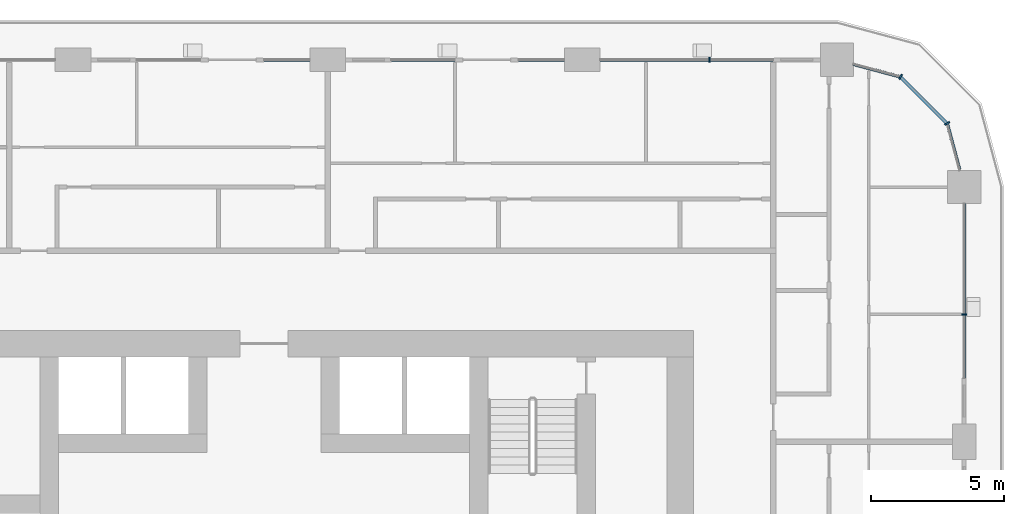
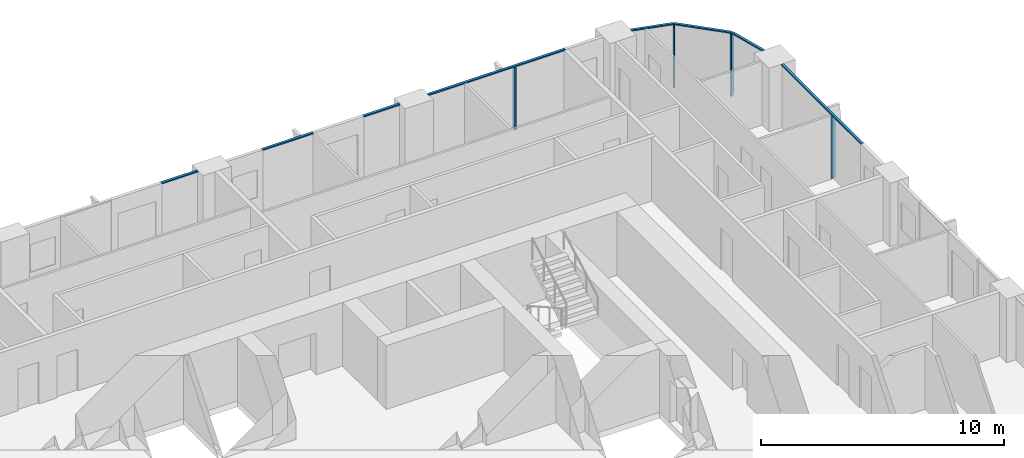
# One storey, part 6 of 21: 12 members, 5 elements without a shape of their own.
"""IFC4 building model written with IfcOpenShell, lengths in metres."""

from ifc_helpers import new_model, si_unit, direction, frame, origin, origin_2d, place, context, subcontext, project, spatial, rectangle, extrude, material, layer, layer_set, material_profile, profile_set, type_object, element, aggregate, save


model = new_model("IFC4")

# Units and contexts
model_context = context("Model", 3, precision=1e-05, world=origin(), true_north=direction((0.0, 1.0)))
body_context = subcontext(model_context, "Body", "Model", "MODEL_VIEW")
ifc_project = project(units=[si_unit("LENGTHUNIT", "METRE"), si_unit("AREAUNIT", "SQUARE_METRE"), si_unit("VOLUMEUNIT", "CUBIC_METRE"), si_unit("PLANEANGLEUNIT", "RADIAN"), si_unit("MASSUNIT", "GRAM", prefix="KILO")], contexts=[model_context])

# Site, building, storey
site_placement = place(None, origin())
site = spatial("IfcSite", under=ifc_project, at=site_placement, CompositionType="ELEMENT")
building_placement = place(site_placement, origin())
building = spatial("IfcBuilding", under=site, at=building_placement, Name="Madar Terraces", CompositionType="ELEMENT")
storey_placement = place(building_placement, frame((0.0, 0.0, 39.89990234375)))
storey = spatial("IfcBuildingStorey", under=building, at=storey_placement, Name="L09", CompositionType="ELEMENT", Elevation=39.89990234375)

# Curtain wall, member
ifc_material_1 = material(Name="Glass, ceramic frit dark grey, with black aluminium frame", Category="aluminium")
ifc_layer = layer(ifc_material_1, 0.199951171875)
ifc_layer_set = layer_set([ifc_layer], Name="Facade curtain wall, fritted glass")
curtain_wall_type = type_object("IfcCurtainWallType", Name="Facade curtain wall, fritted glass", PredefinedType="NOTDEFINED", material=ifc_layer_set)
curtain_wall_1_placement = place(storey_placement, origin())
curtain_wall_1 = element("IfcCurtainWall", 1, at=curtain_wall_1_placement, inside=storey, type_object=curtain_wall_type, Name="Outer skin curtain wall east bay 4", PredefinedType="NOTDEFINED")
ifc_material_2 = material(Name="Aluminium, black anodised", Category="aluminium")
ifc_material_profile_1 = material_profile(ifc_material_2, rectangle(XDim=0.199951171875, YDim=0.06005859375, at=origin_2d()), Name="Facade mullion 60x200")
ifc_profile_set_1 = profile_set([ifc_material_profile_1], Name="Aluminium, black anodised")
member_type_1 = type_object("IfcMemberType", Name="Facade mullion 60x200", PredefinedType="MULLION", material=ifc_profile_set_1)
member_1_placement = place(storey_placement, frame((57.60009765625, 38.39990234375, 0.0), z_axis=(0.0, 0.0, 1.0), x_axis=(-1.0, 0.0, 0.0)))
member_1 = element("IfcMember", 2, at=member_1_placement, type_object=member_type_1, Name="Mullion 1", PredefinedType="MULLION", context=body_context, shape_type="SweptSolid", body=[
    extrude(rectangle(XDim=0.199951171875, YDim=0.06005859375, at=origin_2d()), origin(), (0.0, 0.0, 1.0), 3.14013671875),
])

curtain_wall_2_placement = place(storey_placement, origin())
curtain_wall_2 = element("IfcCurtainWall", 3, at=curtain_wall_2_placement, inside=storey, type_object=curtain_wall_type, Name="Outer skin curtain wall north bay 1", PredefinedType="NOTDEFINED")
member_2_placement = place(storey_placement, frame((48.0, 48.0, 0.0), z_axis=(0.0, 0.0, 1.0), x_axis=(0.0, -1.0, 0.0)))
member_2 = element("IfcMember", 4, at=member_2_placement, type_object=member_type_1, Name="Mullion 1", PredefinedType="MULLION", context=body_context, shape_type="SweptSolid", body=[
    extrude(rectangle(XDim=0.199951171875, YDim=0.06005859375, at=origin_2d()), origin(), (0.0, 0.0, 1.0), 3.14013671875),
])

# Curtain wall, members
curtain_wall_3_placement = place(storey_placement, origin())
curtain_wall_3 = element("IfcCurtainWall", 5, at=curtain_wall_3_placement, inside=storey, type_object=curtain_wall_type, Name="Outer skin curtain wall north-east corner", PredefinedType="NOTDEFINED")
member_3_placement = place(storey_placement, frame((56.95703125, 45.60009765625, 0.0), z_axis=(0.0, 0.0, 1.0), x_axis=(-0.866025409797, -0.499999989586, 0.0)))
member_3 = element("IfcMember", 6, at=member_3_placement, type_object=member_type_1, Name="Mullion 1", PredefinedType="MULLION", context=body_context, shape_type="SweptSolid", body=[
    extrude(rectangle(XDim=0.199951171875, YDim=0.06005859375, at=origin_2d()), origin(), (0.0, 0.0, 1.0), 3.14013671875),
])
member_4_placement = place(storey_placement, frame((55.199951171875, 47.35693359375, 0.0), z_axis=(0.0, 0.0, 1.0), x_axis=(-0.499999989586, -0.866025409797, 0.0)))
member_4 = element("IfcMember", 7, at=member_4_placement, type_object=member_type_1, Name="Mullion 2", PredefinedType="MULLION", context=body_context, shape_type="SweptSolid", body=[
    extrude(rectangle(XDim=0.199951171875, YDim=0.06005859375, at=origin_2d()), origin(), (0.0, 0.0, 1.0), 3.14013671875),
])

# Member
ifc_material_3 = material(Name="Aluminium, black anodised", Category="aluminium")
ifc_material_profile_2 = material_profile(ifc_material_3, rectangle(XDim=0.1201171875, YDim=0.06005859375, at=origin_2d()), Name="Facade transom 60x120")
ifc_profile_set_2 = profile_set([ifc_material_profile_2], Name="Aluminium, black anodised")
member_type_2 = type_object("IfcMemberType", Name="Facade transom 60x120", PredefinedType="USERDEFINED", material=ifc_profile_set_2)
member_5_placement = place(storey_placement, frame((57.60009765625, 36.0, 3.170166015625), z_axis=(0.0, 1.0, 0.0), x_axis=(-1.0, 0.0, 0.0)))
member_5 = element("IfcMember", 8, at=member_5_placement, type_object=member_type_2, Name="Transom 1", ObjectType="TRANSOM", PredefinedType="USERDEFINED", context=body_context, shape_type="SweptSolid", body=[
    extrude(rectangle(XDim=0.1201171875, YDim=0.06005859375, at=origin_2d()), origin(), (0.0, 0.0, 1.0), 6.574951171875),
])

aggregate(curtain_wall_1, [member_1, member_5])

member_6_placement = place(storey_placement, frame((50.39990234375, 48.0, 3.170166015625), z_axis=(-1.0, 0.0, 0.0), x_axis=(0.0, -1.0, 0.0)))
member_6 = element("IfcMember", 9, at=member_6_placement, type_object=member_type_2, Name="Transom 1", ObjectType="TRANSOM", PredefinedType="USERDEFINED", context=body_context, shape_type="SweptSolid", body=[
    extrude(rectangle(XDim=0.1201171875, YDim=0.06005859375, at=origin_2d()), origin(), (0.0, 0.0, 1.0), 6.52490234375),
])

aggregate(curtain_wall_2, [member_2, member_6])

# Curtain wall, members
curtain_wall_4_placement = place(storey_placement, origin())
curtain_wall_4 = element("IfcCurtainWall", 10, at=curtain_wall_4_placement, inside=storey, type_object=curtain_wall_type, Name="Outer skin curtain wall north bay 2", PredefinedType="NOTDEFINED")
member_7_placement = place(storey_placement, frame((42.52490234375, 48.0, 3.170166015625), z_axis=(-1.0, 0.0, 0.0), x_axis=(0.0, -1.0, 0.0)))
member_7 = element("IfcMember", 11, at=member_7_placement, type_object=member_type_2, Name="Transom 1", ObjectType="TRANSOM", PredefinedType="USERDEFINED", context=body_context, shape_type="SweptSolid", body=[
    extrude(rectangle(XDim=0.1201171875, YDim=0.06005859375, at=origin_2d()), origin(), (0.0, 0.0, 1.0), 1.724853515625),
])
member_8_placement = place(storey_placement, frame((38.39990234375, 48.0, 3.170166015625), z_axis=(-1.0, 0.0, 0.0), x_axis=(0.0, -1.0, 0.0)))
member_8 = element("IfcMember", 12, at=member_8_placement, type_object=member_type_2, Name="Transom 2", ObjectType="TRANSOM", PredefinedType="USERDEFINED", context=body_context, shape_type="SweptSolid", body=[
    extrude(rectangle(XDim=0.1201171875, YDim=0.06005859375, at=origin_2d()), origin(), (0.0, 0.0, 1.0), 2.39990234375),
])
aggregate(curtain_wall_4, [member_7, member_8])

# Curtain wall, member
curtain_wall_5_placement = place(storey_placement, origin())
curtain_wall_5 = element("IfcCurtainWall", 13, at=curtain_wall_5_placement, inside=storey, type_object=curtain_wall_type, Name="Outer skin curtain wall north bay 3", PredefinedType="NOTDEFINED")
member_9_placement = place(storey_placement, frame((32.925048828125, 48.0, 3.170166015625), z_axis=(-1.0, 0.0, 0.0), x_axis=(0.0, -1.0, 0.0)))
member_9 = element("IfcMember", 14, at=member_9_placement, type_object=member_type_2, Name="Transom 1", ObjectType="TRANSOM", PredefinedType="USERDEFINED", context=body_context, shape_type="SweptSolid", body=[
    extrude(rectangle(XDim=0.1201171875, YDim=0.06005859375, at=origin_2d()), origin(), (0.0, 0.0, 1.0), 1.72509765625),
])
aggregate(curtain_wall_5, [member_9])

# Member
member_10_placement = place(storey_placement, frame((57.4326171875, 43.824951171875, 3.170166015625), z_axis=(-0.258898097903, 0.965904640688, 0.0), x_axis=(-0.965904640688, -0.258898097903, 0.0)))
member_10 = element("IfcMember", 15, at=member_10_placement, type_object=member_type_2, Name="Transom 1", ObjectType="TRANSOM", PredefinedType="USERDEFINED", context=body_context, shape_type="SweptSolid", body=[
    extrude(rectangle(XDim=0.1201171875, YDim=0.06005859375, at=origin_2d()), origin(), (0.0, 0.0, 1.0), 1.8076171875),
])

member_11_placement = place(storey_placement, frame((56.935791015625, 45.62109375, 3.170166015625), z_axis=(-0.707106781187, 0.707106781187, 0.0), x_axis=(-0.707106781187, -0.707106781187, 0.0)))
member_11 = element("IfcMember", 16, at=member_11_placement, type_object=member_type_2, Name="Transom 2", ObjectType="TRANSOM", PredefinedType="USERDEFINED", context=body_context, shape_type="SweptSolid", body=[
    extrude(rectangle(XDim=0.1201171875, YDim=0.06005859375, at=origin_2d()), origin(), (0.0, 0.0, 1.0), 2.4248046875),
])

member_12_placement = place(storey_placement, frame((55.171142578125, 47.36474609375, 3.170166015625), z_axis=(-0.965938406667, 0.258772089929, 0.0), x_axis=(-0.258772089929, -0.965938406667, 0.0)))
member_12 = element("IfcMember", 17, at=member_12_placement, type_object=member_type_2, Name="Transom 3", ObjectType="TRANSOM", PredefinedType="USERDEFINED", context=body_context, shape_type="SweptSolid", body=[
    extrude(rectangle(XDim=0.1201171875, YDim=0.06005859375, at=origin_2d()), origin(), (0.0, 0.0, 1.0), 1.8076171875),
])

aggregate(curtain_wall_3, [member_3, member_10, member_4, member_11, member_12])

save(model, "model.ifc")
